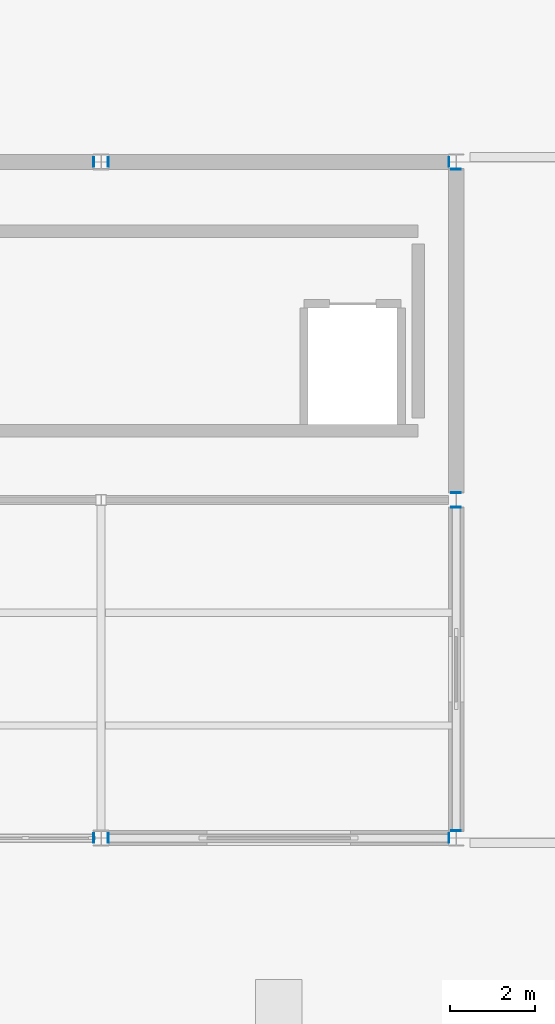
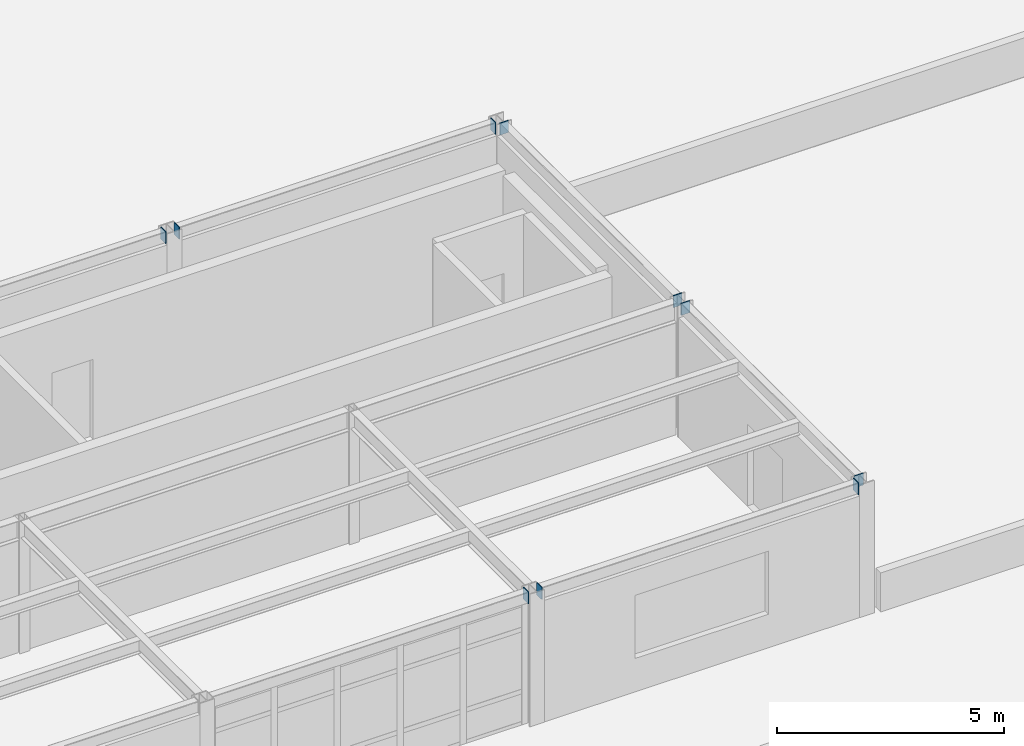
# One storey, part 69 of 96: 10 discrete accessories.
"""IFC4 building model written with IfcOpenShell, lengths in metres."""

from ifc_helpers import new_model, si_unit, direction, frame, origin, origin_2d, place, context, subcontext, project, spatial, rectangle, extrude, material, layer, layer_set, type_object, element, save


model = new_model("IFC4")

# Units and contexts
model_context = context("Model", 3, precision=1e-05, world=origin(), true_north=direction((0.0, 1.0)))
body_context = subcontext(model_context, "Body", "Model", "MODEL_VIEW")
ifc_project = project(units=[si_unit("LENGTHUNIT", "METRE"), si_unit("AREAUNIT", "SQUARE_METRE"), si_unit("VOLUMEUNIT", "CUBIC_METRE"), si_unit("PLANEANGLEUNIT", "RADIAN"), si_unit("MASSUNIT", "GRAM", prefix="KILO")], contexts=[model_context])

# Site, building, storey
site_placement = place(None, origin())
site = spatial("IfcSite", under=ifc_project, at=site_placement, CompositionType="ELEMENT")
building_placement = place(site_placement, origin())
building = spatial("IfcBuilding", under=site, at=building_placement, Name="Kranzveld Transit Interchange", CompositionType="ELEMENT")
storey_placement = place(building_placement, frame((0.0, 0.0, 9.52001953125)))
storey = spatial("IfcBuildingStorey", under=building, at=storey_placement, Name="L02", CompositionType="ELEMENT", Elevation=9.52001953125)

# Discrete accessories
ifc_material = material(Name="Steel S355JR", Category="steel")
ifc_layer = layer(ifc_material, 0.02001953125)
ifc_layer_set = layer_set([ifc_layer], Name="Steel S355JR")
discrete_accessory_type = type_object("IfcDiscreteAccessoryType", Name="Hollow Section End Cap Bracket 20 S355JR", PredefinedType="BRACKET", material=ifc_layer_set)
for number, where, z_axis, x_axis, name in (
    (1, (67.018798828125, 24.0, 3.419921875), (1.0, 0.0, 0.0), (0.0, 1.0, 0.0), "Hollow Section End Cap SP-RHS300-2"),
    (2, (67.38134765625, 24.0, 3.419921875), (-1.0, 0.0, 0.0), (0.0, -1.0, 0.0), "Hollow Section End Cap SP-RHS300-1"),
    (3, (75.418701171875, 24.0, 3.419921875), (1.0, 0.0, 0.0), (0.0, 1.0, 0.0), "Hollow Section End Cap SP-RHS300-2"),
    (4, (67.018798828125, 40.0, 3.419921875), (1.0, 0.0, 0.0), (0.0, 1.0, 0.0), "Hollow Section End Cap SP-RHS300-2"),
    (5, (67.38134765625, 40.0, 3.419921875), (-1.0, 0.0, 0.0), (0.0, -1.0, 0.0), "Hollow Section End Cap SP-RHS300-1"),
    (6, (75.418701171875, 40.0, 3.419921875), (1.0, 0.0, 0.0), (0.0, 1.0, 0.0), "Hollow Section End Cap SP-RHS300-2"),
    (7, (75.60009765625, 24.181396484375, 3.419921875), (0.0, -1.0, 0.0), (1.0, 0.0, 0.0), "Hollow Section End Cap SP-RHS300-1"),
    (8, (75.60009765625, 31.818603515625, 3.419921875), (0.0, 1.0, 0.0), (-1.0, 0.0, 0.0), "Hollow Section End Cap SP-RHS300-2"),
    (9, (75.60009765625, 32.181396484375, 3.419921875), (0.0, -1.0, 0.0), (1.0, 0.0, 0.0), "Hollow Section End Cap SP-RHS300-1"),
    (10, (75.60009765625, 39.818603515625, 3.419921875), (0.0, 1.0, 0.0), (-1.0, 0.0, 0.0), "Hollow Section End Cap SP-RHS300-2"),
):
    element("IfcDiscreteAccessory", number, at=place(storey_placement, frame(where, z_axis=z_axis, x_axis=x_axis)), inside=storey, type_object=discrete_accessory_type, Name=name, PredefinedType="BRACKET", context=body_context, shape_type="SweptSolid", body=[
        extrude(rectangle(XDim=0.22412109375, YDim=0.323974609375, at=origin_2d()), origin(), (0.0, 0.0, 1.0), 0.02001953125),
    ])

save(model, "model.ifc")
